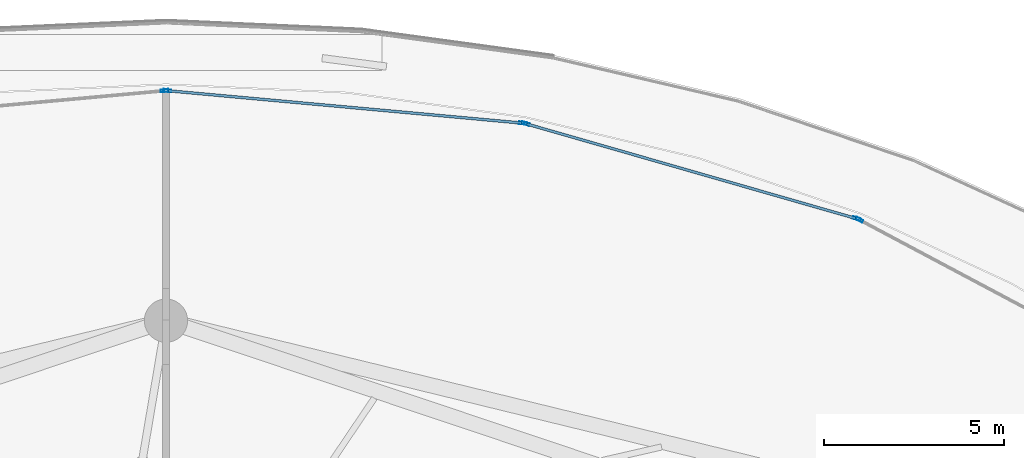
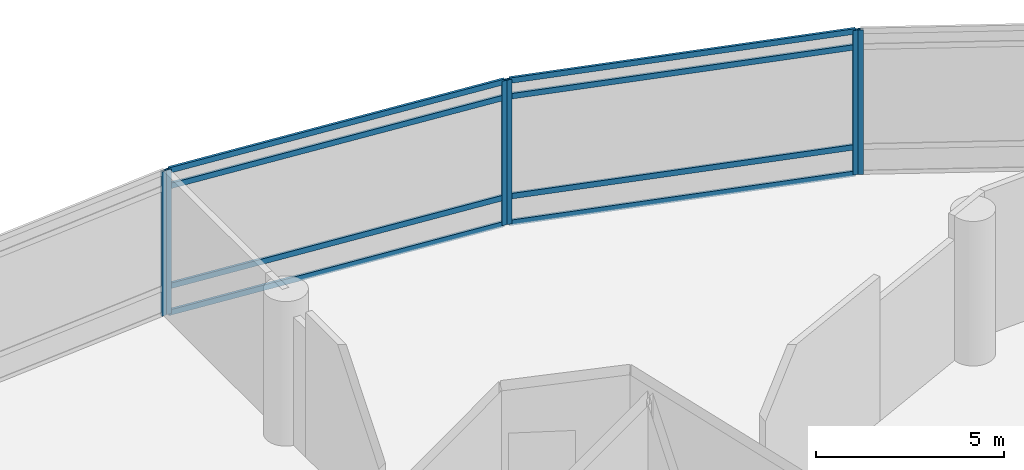
# One storey, part 19 of 37: 14 members, 4 elements without a shape of their own.
"""IFC4 building model written with IfcOpenShell, lengths in metres."""

from ifc_helpers import new_model, si_unit, direction, frame, origin, origin_2d, place, context, subcontext, project, spatial, hollow_rectangle, extrude, material, layer, layer_set, material_profile, profile_set, type_object, element, aggregate, save


model = new_model("IFC4")

# Units and contexts
model_context = context("Model", 3, precision=1e-05, world=origin(), true_north=direction((0.0, 1.0)))
body_context = subcontext(model_context, "Body", "Model", "MODEL_VIEW")
ifc_project = project(units=[si_unit("LENGTHUNIT", "METRE"), si_unit("AREAUNIT", "SQUARE_METRE"), si_unit("VOLUMEUNIT", "CUBIC_METRE"), si_unit("PLANEANGLEUNIT", "RADIAN"), si_unit("MASSUNIT", "GRAM", prefix="KILO")], contexts=[model_context])

# Site, building, storey
site_placement = place(None, origin())
site = spatial("IfcSite", under=ifc_project, at=site_placement, CompositionType="ELEMENT")
building_placement = place(site_placement, origin())
building = spatial("IfcBuilding", under=site, at=building_placement, Name="Nuhasar Tower", CompositionType="ELEMENT")
storey_placement = place(building_placement, frame((0.0, 0.0, 6.0)))
storey = spatial("IfcBuildingStorey", under=building, at=storey_placement, Name="L01", CompositionType="ELEMENT", Elevation=6.0)

# Curtain wall, member
ifc_material = material(Name="Aluminium 6063-T6", Category="aluminium")
ifc_layer = layer(ifc_material, 0.219970703125)
ifc_layer_set = layer_set([ifc_layer], Name="Aluminium 6063-T6")
curtain_wall_type = type_object("IfcCurtainWallType", Name="CW-PODIUM", PredefinedType="NOTDEFINED", material=ifc_layer_set)
curtain_wall_1_placement = place(storey_placement, origin())
curtain_wall_1 = element("IfcCurtainWall", 1, at=curtain_wall_1_placement, inside=storey, type_object=curtain_wall_type, Name="L01 Podium Curtain Wall Bay 04", PredefinedType="NOTDEFINED")
ifc_material_profile_1 = material_profile(ifc_material, hollow_rectangle(XDim=0.074951171875, YDim=0.219970703125, WallThickness=0.0048828125, at=origin_2d()), Name="CWM-1")
ifc_profile_set_1 = profile_set([ifc_material_profile_1], Name="Aluminium 6063-T6")
member_type_1 = type_object("IfcMemberType", Name="CW-MUL-S1", PredefinedType="MULLION", material=ifc_profile_set_1)
member_1_placement = place(storey_placement, frame((58.253173828125, 49.853271484375, 0.0), z_axis=(0.0, 0.0, 1.0), x_axis=(-0.469563312429, -0.882898802593, 0.0)))
member_1 = element("IfcMember", 2, at=member_1_placement, type_object=member_type_1, Name="CW-P1 mullion 2", PredefinedType="MULLION", context=body_context, shape_type="SweptSolid", body=[
    extrude(hollow_rectangle(XDim=0.074951171875, YDim=0.219970703125, WallThickness=0.0048828125, at=origin_2d()), origin(), (0.0, 0.0, 1.0), 4.699951171875),
])
aggregate(curtain_wall_1, [member_1])

# Curtain wall, members
curtain_wall_2_placement = place(storey_placement, origin())
curtain_wall_2 = element("IfcCurtainWall", 3, at=curtain_wall_2_placement, inside=storey, type_object=curtain_wall_type, Name="L01 Podium Curtain Wall Bay 05", PredefinedType="NOTDEFINED")
member_2_placement = place(storey_placement, frame((58.183837890625, 49.88134765625, 0.0), z_axis=(0.0, 0.0, 1.0), x_axis=(-0.275884849146, -0.961190693885, 0.0)))
member_2 = element("IfcMember", 4, at=member_2_placement, type_object=member_type_1, Name="CW-P1 mullion 1", PredefinedType="MULLION", context=body_context, shape_type="SweptSolid", body=[
    extrude(hollow_rectangle(XDim=0.074951171875, YDim=0.219970703125, WallThickness=0.0048828125, at=origin_2d()), origin(), (0.0, 0.0, 1.0), 4.699951171875),
])
member_3_placement = place(storey_placement, frame((48.985107421875, 52.521728515625, 0.0), z_axis=(0.0, 0.0, 1.0), x_axis=(-0.275884849146, -0.961190693885, 0.0)))
member_3 = element("IfcMember", 5, at=member_3_placement, type_object=member_type_1, Name="CW-P1 mullion 2", PredefinedType="MULLION", context=body_context, shape_type="SweptSolid", body=[
    extrude(hollow_rectangle(XDim=0.074951171875, YDim=0.219970703125, WallThickness=0.0048828125, at=origin_2d()), origin(), (0.0, 0.0, 1.0), 4.699951171875),
])

curtain_wall_3_placement = place(storey_placement, origin())
curtain_wall_3 = element("IfcCurtainWall", 6, at=curtain_wall_3_placement, inside=storey, type_object=curtain_wall_type, Name="L01 Podium Curtain Wall Bay 06", PredefinedType="NOTDEFINED")
member_4_placement = place(storey_placement, frame((48.91162109375, 52.535400390625, 0.0), z_axis=(0.0, 0.0, 1.0), x_axis=(-0.090887719437, -0.995861146172, 0.0)))
member_4 = element("IfcMember", 7, at=member_4_placement, type_object=member_type_1, Name="CW-P1 mullion 1", PredefinedType="MULLION", context=body_context, shape_type="SweptSolid", body=[
    extrude(hollow_rectangle(XDim=0.074951171875, YDim=0.219970703125, WallThickness=0.0048828125, at=origin_2d()), origin(), (0.0, 0.0, 1.0), 4.699951171875),
])
member_5_placement = place(storey_placement, frame((39.037353515625, 53.4365234375, 0.0), z_axis=(0.0, 0.0, 1.0), x_axis=(-0.090887719437, -0.995861146172, 0.0)))
member_5 = element("IfcMember", 8, at=member_5_placement, type_object=member_type_1, Name="CW-P1 mullion 2", PredefinedType="MULLION", context=body_context, shape_type="SweptSolid", body=[
    extrude(hollow_rectangle(XDim=0.074951171875, YDim=0.219970703125, WallThickness=0.0048828125, at=origin_2d()), origin(), (0.0, 0.0, 1.0), 4.699951171875),
])

# Curtain wall, member
curtain_wall_4_placement = place(storey_placement, origin())
curtain_wall_4 = element("IfcCurtainWall", 9, at=curtain_wall_4_placement, inside=storey, type_object=curtain_wall_type, Name="L01 Podium Curtain Wall Bay 07", PredefinedType="NOTDEFINED")
member_6_placement = place(storey_placement, frame((38.962646484375, 53.4365234375, 0.0), z_axis=(0.0, 0.0, 1.0), x_axis=(0.090887719437, -0.995861146172, 0.0)))
member_6 = element("IfcMember", 10, at=member_6_placement, type_object=member_type_1, Name="CW-P1 mullion 1", PredefinedType="MULLION", context=body_context, shape_type="SweptSolid", body=[
    extrude(hollow_rectangle(XDim=0.074951171875, YDim=0.219970703125, WallThickness=0.0048828125, at=origin_2d()), origin(), (0.0, 0.0, 1.0), 4.699951171875),
])
aggregate(curtain_wall_4, [member_6])

# Member
ifc_material_profile_2 = material_profile(ifc_material, hollow_rectangle(XDim=0.074951171875, YDim=0.179931640625, WallThickness=0.00439453125, at=origin_2d()), Name="CWT-1")
ifc_profile_set_2 = profile_set([ifc_material_profile_2], Name="Aluminium 6063-T6")
member_type_2 = type_object("IfcMemberType", Name="CW-TRN-S1", PredefinedType="USERDEFINED", material=ifc_profile_set_2)
member_7_placement = place(storey_placement, frame((58.14794921875, 49.8916015625, 0.03759765625), z_axis=(-0.961191424889, 0.275882302297, 0.0), x_axis=(-0.275882302297, -0.961191424889, 0.0)))
member_7 = element("IfcMember", 11, at=member_7_placement, type_object=member_type_2, Name="CW-P1 transom 1.1", ObjectType="TRANSOM", PredefinedType="USERDEFINED", context=body_context, shape_type="SweptSolid", body=[
    extrude(hollow_rectangle(XDim=0.074951171875, YDim=0.179931640625, WallThickness=0.00439453125, at=origin_2d()), origin(), (0.0, 0.0, 1.0), 9.495361328125),
])

member_8_placement = place(storey_placement, frame((58.14794921875, 49.8916015625, 0.89990234375), z_axis=(-0.961191424889, 0.275882302297, 0.0), x_axis=(-0.275882302297, -0.961191424889, 0.0)))
member_8 = element("IfcMember", 12, at=member_8_placement, type_object=member_type_2, Name="CW-P1 transom 1.2", ObjectType="TRANSOM", PredefinedType="USERDEFINED", context=body_context, shape_type="SweptSolid", body=[
    extrude(hollow_rectangle(XDim=0.074951171875, YDim=0.179931640625, WallThickness=0.00439453125, at=origin_2d()), origin(), (0.0, 0.0, 1.0), 9.495361328125),
])

member_9_placement = place(storey_placement, frame((58.14794921875, 49.8916015625, 4.14990234375), z_axis=(-0.961191424889, 0.275882302297, 0.0), x_axis=(-0.275882302297, -0.961191424889, 0.0)))
member_9 = element("IfcMember", 13, at=member_9_placement, type_object=member_type_2, Name="CW-P1 transom 1.3", ObjectType="TRANSOM", PredefinedType="USERDEFINED", context=body_context, shape_type="SweptSolid", body=[
    extrude(hollow_rectangle(XDim=0.074951171875, YDim=0.179931640625, WallThickness=0.00439453125, at=origin_2d()), origin(), (0.0, 0.0, 1.0), 9.495361328125),
])

member_10_placement = place(storey_placement, frame((58.14794921875, 49.8916015625, 4.66259765625), z_axis=(-0.961191424889, 0.275882302297, 0.0), x_axis=(-0.275882302297, -0.961191424889, 0.0)))
member_10 = element("IfcMember", 14, at=member_10_placement, type_object=member_type_2, Name="CW-P1 transom 1.4", ObjectType="TRANSOM", PredefinedType="USERDEFINED", context=body_context, shape_type="SweptSolid", body=[
    extrude(hollow_rectangle(XDim=0.074951171875, YDim=0.179931640625, WallThickness=0.00439453125, at=origin_2d()), origin(), (0.0, 0.0, 1.0), 9.495361328125),
])

aggregate(curtain_wall_2, [member_2, member_3, member_7, member_8, member_9, member_10])

member_11_placement = place(storey_placement, frame((48.874267578125, 52.538818359375, 0.03759765625), z_axis=(-0.995861828926, 0.090880238156, 0.0), x_axis=(-0.090880238156, -0.995861828926, 0.0)))
member_11 = element("IfcMember", 15, at=member_11_placement, type_object=member_type_2, Name="CW-P1 transom 1.1", ObjectType="TRANSOM", PredefinedType="USERDEFINED", context=body_context, shape_type="SweptSolid", body=[
    extrude(hollow_rectangle(XDim=0.074951171875, YDim=0.179931640625, WallThickness=0.00439453125, at=origin_2d()), origin(), (0.0, 0.0, 1.0), 9.84033203125),
])

member_12_placement = place(storey_placement, frame((48.874267578125, 52.538818359375, 0.89990234375), z_axis=(-0.995861828926, 0.090880238156, 0.0), x_axis=(-0.090880238156, -0.995861828926, 0.0)))
member_12 = element("IfcMember", 16, at=member_12_placement, type_object=member_type_2, Name="CW-P1 transom 1.2", ObjectType="TRANSOM", PredefinedType="USERDEFINED", context=body_context, shape_type="SweptSolid", body=[
    extrude(hollow_rectangle(XDim=0.074951171875, YDim=0.179931640625, WallThickness=0.00439453125, at=origin_2d()), origin(), (0.0, 0.0, 1.0), 9.84033203125),
])

member_13_placement = place(storey_placement, frame((48.874267578125, 52.538818359375, 4.14990234375), z_axis=(-0.995861828926, 0.090880238156, 0.0), x_axis=(-0.090880238156, -0.995861828926, 0.0)))
member_13 = element("IfcMember", 17, at=member_13_placement, type_object=member_type_2, Name="CW-P1 transom 1.3", ObjectType="TRANSOM", PredefinedType="USERDEFINED", context=body_context, shape_type="SweptSolid", body=[
    extrude(hollow_rectangle(XDim=0.074951171875, YDim=0.179931640625, WallThickness=0.00439453125, at=origin_2d()), origin(), (0.0, 0.0, 1.0), 9.84033203125),
])

member_14_placement = place(storey_placement, frame((48.874267578125, 52.538818359375, 4.66259765625), z_axis=(-0.995861828926, 0.090880238156, 0.0), x_axis=(-0.090880238156, -0.995861828926, 0.0)))
member_14 = element("IfcMember", 18, at=member_14_placement, type_object=member_type_2, Name="CW-P1 transom 1.4", ObjectType="TRANSOM", PredefinedType="USERDEFINED", context=body_context, shape_type="SweptSolid", body=[
    extrude(hollow_rectangle(XDim=0.074951171875, YDim=0.179931640625, WallThickness=0.00439453125, at=origin_2d()), origin(), (0.0, 0.0, 1.0), 9.84033203125),
])

aggregate(curtain_wall_3, [member_4, member_5, member_11, member_12, member_13, member_14])

save(model, "model.ifc")
